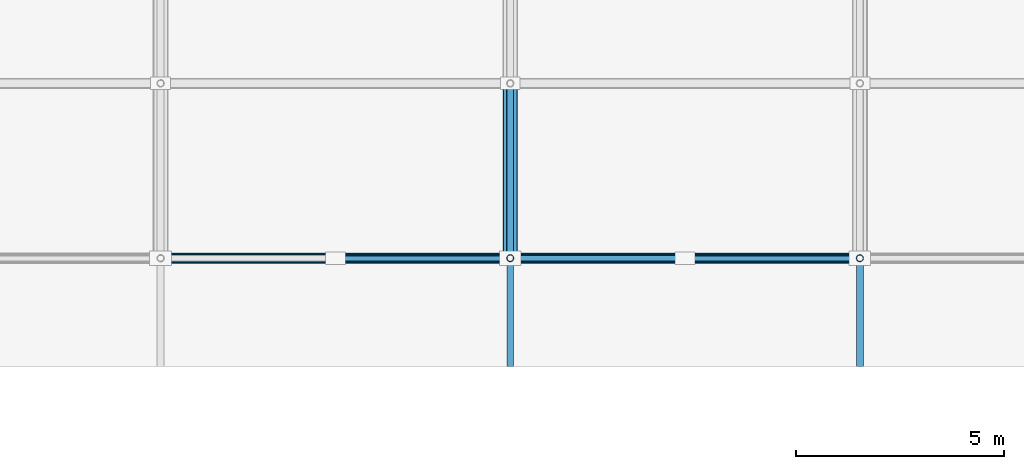
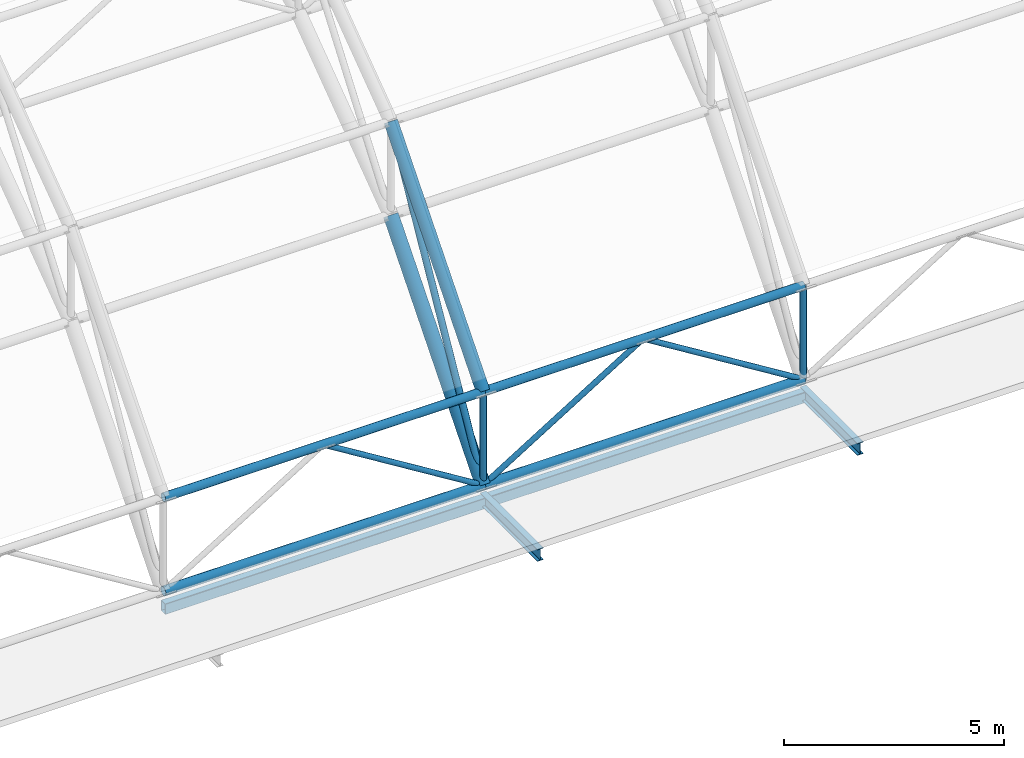
# One storey, part 21 of 103: 10 members, 6 beams.
"""IFC4 building model written with IfcOpenShell, lengths in metres."""

from ifc_helpers import new_model, si_unit, direction, frame, origin, origin_2d, place, context, subcontext, project, spatial, hollow_rectangle, hollow_circle, i_section, extrude, material, material_profile, profile_set, type_object, element, save


model = new_model("IFC4")

# Units and contexts
model_context = context("Model", 3, precision=1e-05, world=origin(), true_north=direction((0.0, 1.0)))
body_context = subcontext(model_context, "Body", "Model", "MODEL_VIEW")
ifc_project = project(units=[si_unit("LENGTHUNIT", "METRE"), si_unit("AREAUNIT", "SQUARE_METRE"), si_unit("VOLUMEUNIT", "CUBIC_METRE"), si_unit("PLANEANGLEUNIT", "RADIAN"), si_unit("MASSUNIT", "GRAM", prefix="KILO")], contexts=[model_context])

# Site, building, storey
site_placement = place(None, origin())
site = spatial("IfcSite", under=ifc_project, at=site_placement, CompositionType="ELEMENT")
building_placement = place(site_placement, origin())
building = spatial("IfcBuilding", under=site, at=building_placement, Name="Varnapada Polytechnic", CompositionType="ELEMENT")
storey_placement = place(building_placement, frame((0.0, 0.0, 18.0)))
storey = spatial("IfcBuildingStorey", under=building, at=storey_placement, Name="L04", CompositionType="ELEMENT", Elevation=18.0)

# Beams
ifc_material = material(Name="Steel S355", Category="steel")
ifc_material_profile_1 = material_profile(ifc_material, i_section(OverallWidth=0.159912109375, OverallDepth=0.330078125, WebThickness=0.007568359375, FlangeThickness=0.011474609375, FilletRadius=0.01806640625, at=origin_2d()), Name="IPE 330")
ifc_profile_set_1 = profile_set([ifc_material_profile_1], Name="Steel S355")
beam_type_1 = type_object("IfcBeamType", Name="Clerestory monitor steel rafter SB-07 (IPE 330)", PredefinedType="BEAM", material=ifc_profile_set_1)
for number, where, z_axis, x_axis, name in (
    (1, (84.0, 84.0, -0.35009765625), (0.0, -1.0, 0.0), (1.0, 0.0, 0.0), "Workshop eave shade outlooker S.5"),
    (2, (92.39990234375, 84.0, -0.35009765625), (0.0, -1.0, 0.0), (1.0, 0.0, 0.0), "Workshop eave shade outlooker S.6"),
):
    element("IfcBeam", number, at=place(storey_placement, frame(where, z_axis=z_axis, x_axis=x_axis)), inside=storey, type_object=beam_type_1, Name=name, PredefinedType="BEAM", context=body_context, shape_type="SweptSolid", body=[
        extrude(i_section(OverallWidth=0.159912109375, OverallDepth=0.330078125, WebThickness=0.007568359375, FlangeThickness=0.011474609375, FilletRadius=0.01806640625, at=origin_2d()), origin(), (0.0, 0.0, 1.0), 2.60009765625),
    ])

# Members
ifc_material_profile_2 = material_profile(ifc_material, hollow_circle(Radius=0.122314453125, WallThickness=0.008056640625, at=origin_2d()), Name="CHS 244.5x8.0")
ifc_profile_set_2 = profile_set([ifc_material_profile_2], Name="Steel S355")
member_type_1 = type_object("IfcMemberType", Name="Vaulted space frame longitudinal bottom chord SFC-01 (CHS 244.5x8.0)", PredefinedType="CHORD", material=ifc_profile_set_2)
for number, where, z_axis, x_axis, name in (
    (3, (75.60009765625, 84.0, 0.0), (1.0, 0.0, 0.0), (0.0, 1.0, 0.0), "Vaulted space frame longitudinal bottom chord 4.1"),
    (4, (84.0, 84.0, 0.0), (1.0, 0.0, 0.0), (0.0, 1.0, 0.0), "Vaulted space frame longitudinal bottom chord 5.1"),
):
    element("IfcMember", number, at=place(storey_placement, frame(where, z_axis=z_axis, x_axis=x_axis)), inside=storey, type_object=member_type_1, Name=name, PredefinedType="CHORD", context=body_context, shape_type="SweptSolid", body=[
        extrude(hollow_circle(Radius=0.122314453125, WallThickness=0.008056640625, at=origin_2d()), origin(), (0.0, 0.0, 1.0), 8.39990234375),
    ])
ifc_material_profile_3 = material_profile(ifc_material, hollow_circle(Radius=0.109619140625, WallThickness=0.008056640625, at=origin_2d()), Name="CHS 219.1x8.0")
ifc_profile_set_3 = profile_set([ifc_material_profile_3], Name="Steel S355")
member_type_2 = type_object("IfcMemberType", Name="Vaulted space frame longitudinal top chord SFC-02 (CHS 219.1x8.0)", PredefinedType="CHORD", material=ifc_profile_set_3)
for number, where, z_axis, x_axis, name in (
    (5, (75.60009765625, 84.0, 2.60009765625), (1.0, 0.0, 0.0), (0.0, 1.0, 0.0), "Vaulted space frame longitudinal top chord 4.1"),
    (6, (84.0, 84.0, 2.60009765625), (1.0, 0.0, 0.0), (0.0, 1.0, 0.0), "Vaulted space frame longitudinal top chord 5.1"),
):
    element("IfcMember", number, at=place(storey_placement, frame(where, z_axis=z_axis, x_axis=x_axis)), inside=storey, type_object=member_type_2, Name=name, PredefinedType="CHORD", context=body_context, shape_type="SweptSolid", body=[
        extrude(hollow_circle(Radius=0.109619140625, WallThickness=0.008056640625, at=origin_2d()), origin(), (0.0, 0.0, 1.0), 8.39990234375),
    ])

# Beam
ifc_material_profile_4 = material_profile(ifc_material, hollow_circle(Radius=0.177734375, WallThickness=0.012451171875, at=origin_2d()), Name="CHS 355.6x12.5")
ifc_profile_set_4 = profile_set([ifc_material_profile_4], Name="Steel S355")
beam_type_2 = type_object("IfcBeamType", Name="Vaulted space frame primary arch rib VA-01 (CHS 355.6x12.5)", PredefinedType="BEAM", material=ifc_profile_set_4)
beam_1_placement = place(storey_placement, frame((84.0, 84.0, 0.0), z_axis=(0.0, 0.647032448214, 0.762462465279), x_axis=(-1.0, 0.0, 0.0)))
element("IfcBeam", 7, at=beam_1_placement, inside=storey, type_object=beam_type_2, Name="Vaulted space frame bottom arch chord 5.1", PredefinedType="BEAM", context=body_context, shape_type="SweptSolid", body=[
    extrude(hollow_circle(Radius=0.177734375, WallThickness=0.012451171875, at=origin_2d()), origin(), (0.0, 0.0, 1.0), 6.4912109375),
])

# Members
ifc_material_profile_5 = material_profile(ifc_material, hollow_circle(Radius=0.084228515625, WallThickness=0.00634765625, at=origin_2d()), Name="CHS 168.3x6.3")
ifc_profile_set_5 = profile_set([ifc_material_profile_5], Name="Steel S355")
member_type_3 = type_object("IfcMemberType", Name="Vaulted space frame primary web diagonal SFB-01 (CHS 168.3x6.3)", PredefinedType="BRACE", material=ifc_profile_set_5)
member_placement = place(storey_placement, frame((84.0, 84.0, 0.0), z_axis=(0.0, 0.486175535898, 0.873861172209), x_axis=(-1.0, 0.0, 0.0)))
element("IfcMember", 8, at=member_placement, inside=storey, type_object=member_type_3, Name="Vaulted space frame web diagonal 5.1", PredefinedType="BRACE", context=body_context, shape_type="SweptSolid", body=[
    extrude(hollow_circle(Radius=0.084228515625, WallThickness=0.00634765625, at=origin_2d()), origin(), (0.0, 0.0, 1.0), 8.638671875),
])
ifc_material_profile_6 = material_profile(ifc_material, hollow_circle(Radius=0.084228515625, WallThickness=0.00634765625, at=origin_2d()), Name="CHS 168.3x6.3")
ifc_profile_set_6 = profile_set([ifc_material_profile_6], Name="Steel S355")
member_type_4 = type_object("IfcMemberType", Name="Vaulted space frame radial web strut SFS-01 (CHS 168.3x6.3)", PredefinedType="STRUT", material=ifc_profile_set_6)
for number, where, z_axis, x_axis, name in (
    (9, (84.0, 84.0, 0.0), (0.0, 0.0, 1.0), (1.0, 0.0, 0.0), "Vaulted space frame strut 5.1"),
    (10, (92.39990234375, 84.0, 0.0), (0.0, 0.0, 1.0), (1.0, 0.0, 0.0), "Vaulted space frame strut 6.1"),
):
    element("IfcMember", number, at=place(storey_placement, frame(where, z_axis=z_axis, x_axis=x_axis)), inside=storey, type_object=member_type_4, Name=name, PredefinedType="STRUT", context=body_context, shape_type="SweptSolid", body=[
        extrude(hollow_circle(Radius=0.084228515625, WallThickness=0.00634765625, at=origin_2d()), origin(), (0.0, 0.0, 1.0), 2.60009765625),
    ])
ifc_material_profile_7 = material_profile(ifc_material, hollow_circle(Radius=0.06982421875, WallThickness=0.0048828125, at=origin_2d()), Name="CHS 139.7x5.0")
ifc_profile_set_7 = profile_set([ifc_material_profile_7], Name="Steel S355")
member_type_5 = type_object("IfcMemberType", Name="Vaulted space frame secondary web diagonal SFB-02 (CHS 139.7x5.0)", PredefinedType="BRACE", material=ifc_profile_set_7)
for number, where, z_axis, x_axis, name in (
    (11, (84.0, 84.0, 0.0), (-0.85025356003, 0.0, 0.526373331065), (0.0, -1.0, 0.0), "Vaulted space frame longitudinal brace 4.1B"),
    (12, (84.0, 84.0, 0.0), (0.85025356003, 0.0, 0.526373331065), (0.0, 1.0, 0.0), "Vaulted space frame longitudinal brace 5.1A"),
    (13, (92.39990234375, 84.0, 0.0), (-0.85025356003, 0.0, 0.526373331065), (0.0, -1.0, 0.0), "Vaulted space frame longitudinal brace 5.1B"),
):
    element("IfcMember", number, at=place(storey_placement, frame(where, z_axis=z_axis, x_axis=x_axis)), inside=storey, type_object=member_type_5, Name=name, PredefinedType="BRACE", context=body_context, shape_type="SweptSolid", body=[
        extrude(hollow_circle(Radius=0.06982421875, WallThickness=0.0048828125, at=origin_2d()), origin(), (0.0, 0.0, 1.0), 4.939697265625),
    ])

# Beams
ifc_material_profile_8 = material_profile(ifc_material, hollow_circle(Radius=0.161865234375, WallThickness=0.010009765625, at=origin_2d()), Name="CHS 323.9x10.0")
ifc_profile_set_8 = profile_set([ifc_material_profile_8], Name="Steel S355")
beam_type_3 = type_object("IfcBeamType", Name="Vaulted space frame upper arch rib VA-02 (CHS 323.9x10.0)", PredefinedType="BEAM", material=ifc_profile_set_8)
beam_2_placement = place(storey_placement, frame((84.0, 84.0, 2.60009765625), z_axis=(0.0, 0.647051003787, 0.762446718465), x_axis=(-1.0, 0.0, 0.0)))
element("IfcBeam", 14, at=beam_2_placement, inside=storey, type_object=beam_type_3, Name="Vaulted space frame top arch chord 5.1", PredefinedType="BEAM", context=body_context, shape_type="SweptSolid", body=[
    extrude(hollow_circle(Radius=0.161865234375, WallThickness=0.010009765625, at=origin_2d()), origin(), (0.0, 0.0, 1.0), 6.490966796875),
])
ifc_material_profile_9 = material_profile(ifc_material, hollow_rectangle(XDim=0.199951171875, YDim=0.300048828125, WallThickness=0.010009765625, InnerFilletRadius=0.010009765625, OuterFilletRadius=0.02001953125, at=origin_2d()), Name="RHS 300x200x10")
ifc_profile_set_9 = profile_set([ifc_material_profile_9], Name="Steel S355")
beam_type_4 = type_object("IfcBeamType", Name="Workshop steel spandrel tie SP-03 (RHS 300x200x10)", PredefinedType="SPANDREL", material=ifc_profile_set_9)
for number, where, z_axis, x_axis, name in (
    (15, (75.60009765625, 84.0, -0.449951171875), (1.0, 0.0, 0.0), (0.0, 1.0, 0.0), "L04 workshop clerestory tie X10-11 Y11"),
    (16, (84.0, 84.0, -0.449951171875), (1.0, 0.0, 0.0), (0.0, 1.0, 0.0), "L04 workshop clerestory tie X11-12 Y11"),
):
    element("IfcBeam", number, at=place(storey_placement, frame(where, z_axis=z_axis, x_axis=x_axis)), inside=storey, type_object=beam_type_4, Name=name, PredefinedType="SPANDREL", context=body_context, shape_type="SweptSolid", body=[
        extrude(hollow_rectangle(XDim=0.199951171875, YDim=0.300048828125, WallThickness=0.010009765625, InnerFilletRadius=0.010009765625, OuterFilletRadius=0.02001953125, at=origin_2d()), origin(), (0.0, 0.0, 1.0), 8.39990234375),
    ])

save(model, "model.ifc")
